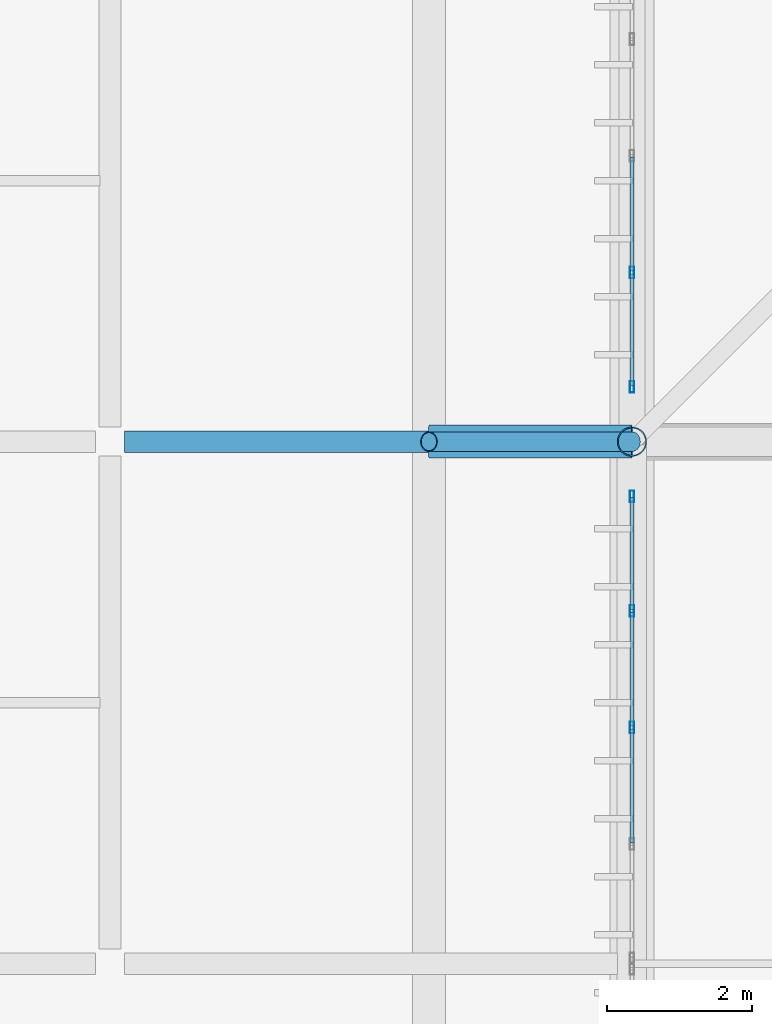
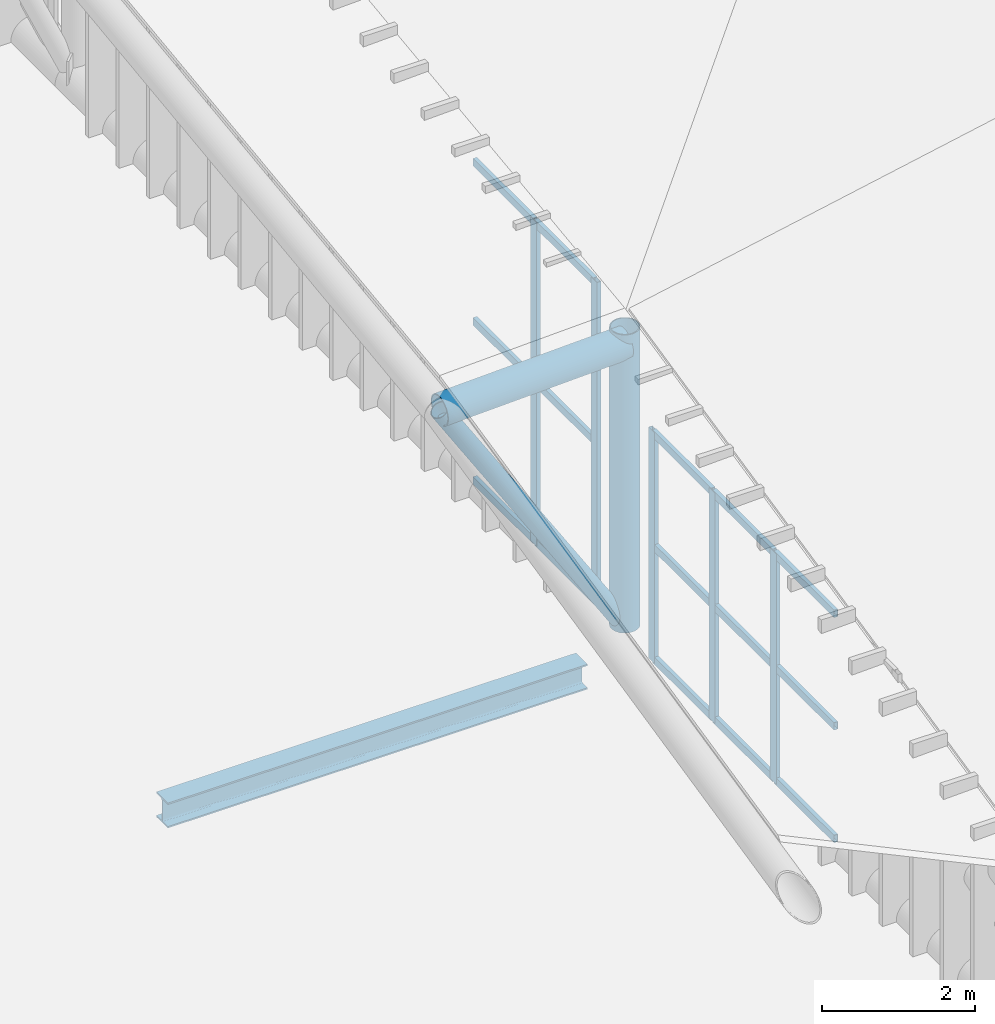
# One storey, part 11 of 397: 22 members, 2 beams, 2 elements without a shape of their own.
"""IFC4 building model written with IfcOpenShell, lengths in metres."""

from ifc_helpers import new_model, si_unit, direction, frame, origin, origin_2d, place, context, subcontext, project, spatial, hollow_rectangle, hollow_circle, i_section, extrude, material, material_profile, profile_set, type_object, element, aggregate, save


model = new_model("IFC4")

# Units and contexts
model_context = context("Model", 3, precision=1e-05, world=origin(), true_north=direction((0.0, 1.0)))
body_context = subcontext(model_context, "Body", "Model", "MODEL_VIEW")
ifc_project = project(units=[si_unit("LENGTHUNIT", "METRE"), si_unit("AREAUNIT", "SQUARE_METRE"), si_unit("VOLUMEUNIT", "CUBIC_METRE"), si_unit("PLANEANGLEUNIT", "RADIAN"), si_unit("MASSUNIT", "GRAM", prefix="KILO")], contexts=[model_context])

# Site, building, storey
site_placement = place(None, origin())
site = spatial("IfcSite", under=ifc_project, at=site_placement, CompositionType="ELEMENT")
building_placement = place(site_placement, origin())
building = spatial("IfcBuilding", under=site, at=building_placement, Name="Qandorah Velis Arena", CompositionType="ELEMENT")
storey_placement = place(building_placement, frame((0.0, 0.0, 27.5)))
storey = spatial("IfcBuildingStorey", under=building, at=storey_placement, Name="RF", CompositionType="ELEMENT", Elevation=27.5)

# Curtain wall, members
ifc_material_1 = material(Name="Solar-control low-E double glazing", Category="glass")
curtain_wall_type = type_object("IfcCurtainWallType", Name="ARC-CW-SYS02", PredefinedType="USERDEFINED", material=ifc_material_1)
curtain_wall_1_placement = place(storey_placement, origin())
curtain_wall_1 = element("IfcCurtainWall", 1, at=curtain_wall_1_placement, inside=storey, type_object=curtain_wall_type, Name="Unitised curtain wall CROWN-1-01S2", ObjectType="UNITISED CURTAIN WALL", PredefinedType="USERDEFINED")
ifc_material_2 = material(Name="Champagne-bronze anodized aluminium 6063-T6", Category="aluminium")
ifc_material_profile_1 = material_profile(ifc_material_2, hollow_rectangle(XDim=0.06005859375, YDim=0.159912109375, WallThickness=0.00341796875, at=origin_2d()), Name="ALU MULLION 60x160")
ifc_profile_set_1 = profile_set([ifc_material_profile_1], Name="Champagne-bronze anodized aluminium 6063-T6")
member_type_1 = type_object("IfcMemberType", Name="ARC-CWM-160", PredefinedType="MULLION", material=ifc_profile_set_1)
member_1_placement = place(storey_placement, frame((14.39990234375, 24.857421875, -0.014892578125), z_axis=(0.0, 0.0, 1.0), x_axis=(-1.0, 0.0, 0.0)))
member_1 = element("IfcMember", 2, at=member_1_placement, type_object=member_type_1, Name="CW02 mullion 3", PredefinedType="MULLION", context=body_context, shape_type="SweptSolid", body=[
    extrude(hollow_rectangle(XDim=0.06005859375, YDim=0.159912109375, WallThickness=0.00341796875, at=origin_2d()), origin(), (0.0, 0.0, 1.0), 3.6904296875),
])
member_2_placement = place(storey_placement, frame((14.39990234375, 26.46630859375, -0.014892578125), z_axis=(0.0, 0.0, 1.0), x_axis=(-1.0, 0.0, 0.0)))
member_2 = element("IfcMember", 3, at=member_2_placement, type_object=member_type_1, Name="CW02 mullion 4", PredefinedType="MULLION", context=body_context, shape_type="SweptSolid", body=[
    extrude(hollow_rectangle(XDim=0.06005859375, YDim=0.159912109375, WallThickness=0.00341796875, at=origin_2d()), origin(), (0.0, 0.0, 1.0), 3.6904296875),
])
member_3_placement = place(storey_placement, frame((14.39990234375, 28.044921875, -0.014892578125), z_axis=(0.0, 0.0, 1.0), x_axis=(-1.0, 0.0, 0.0)))
member_3 = element("IfcMember", 4, at=member_3_placement, type_object=member_type_1, Name="CW02 mullion 5", PredefinedType="MULLION", context=body_context, shape_type="SweptSolid", body=[
    extrude(hollow_rectangle(XDim=0.06005859375, YDim=0.159912109375, WallThickness=0.00341796875, at=origin_2d()), origin(), (0.0, 0.0, 1.0), 3.6904296875),
])

curtain_wall_2_placement = place(storey_placement, origin())
curtain_wall_2 = element("IfcCurtainWall", 5, at=curtain_wall_2_placement, inside=storey, type_object=curtain_wall_type, Name="Unitised curtain wall CROWN-1-02S1", ObjectType="UNITISED CURTAIN WALL", PredefinedType="USERDEFINED")
member_4_placement = place(storey_placement, frame((14.39990234375, 29.554931640625, -0.014892578125), z_axis=(0.0, 0.0, 1.0), x_axis=(-1.0, 0.0, 0.0)))
member_4 = element("IfcMember", 6, at=member_4_placement, type_object=member_type_1, Name="CW02 mullion 1", PredefinedType="MULLION", context=body_context, shape_type="SweptSolid", body=[
    extrude(hollow_rectangle(XDim=0.06005859375, YDim=0.159912109375, WallThickness=0.00341796875, at=origin_2d()), origin(), (0.0, 0.0, 1.0), 5.180908203125),
])
member_5_placement = place(storey_placement, frame((14.39990234375, 31.1337890625, -0.014892578125), z_axis=(0.0, 0.0, 1.0), x_axis=(-1.0, 0.0, 0.0)))
member_5 = element("IfcMember", 7, at=member_5_placement, type_object=member_type_1, Name="CW02 mullion 2", PredefinedType="MULLION", context=body_context, shape_type="SweptSolid", body=[
    extrude(hollow_rectangle(XDim=0.06005859375, YDim=0.159912109375, WallThickness=0.00341796875, at=origin_2d()), origin(), (0.0, 0.0, 1.0), 5.180908203125),
])

# Member
ifc_material_profile_2 = material_profile(ifc_material_2, hollow_rectangle(XDim=0.06005859375, YDim=0.1201171875, WallThickness=0.0029296875, at=origin_2d()), Name="ALU TRANSOM 60x120")
ifc_profile_set_2 = profile_set([ifc_material_profile_2], Name="Champagne-bronze anodized aluminium 6063-T6")
member_type_2 = type_object("IfcMemberType", Name="ARC-CWT-120", PredefinedType="USERDEFINED", material=ifc_profile_set_2)
member_6_placement = place(storey_placement, frame((14.39990234375, 23.2666015625, 0.030029296875), z_axis=(0.0, 1.0, 0.0), x_axis=(-1.0, 0.0, 0.0)))
member_6 = element("IfcMember", 8, at=member_6_placement, type_object=member_type_2, Name="CW02 transom 2.1", ObjectType="TRANSOM", PredefinedType="USERDEFINED", context=body_context, shape_type="SweptSolid", body=[
    extrude(hollow_rectangle(XDim=0.06005859375, YDim=0.1201171875, WallThickness=0.0029296875, at=origin_2d()), origin(), (0.0, 0.0, 1.0), 1.572998046875),
])

member_7_placement = place(storey_placement, frame((14.39990234375, 23.2666015625, 1.830078125), z_axis=(0.0, 1.0, 0.0), x_axis=(-1.0, 0.0, 0.0)))
member_7 = element("IfcMember", 9, at=member_7_placement, type_object=member_type_2, Name="CW02 transom 2.2", ObjectType="TRANSOM", PredefinedType="USERDEFINED", context=body_context, shape_type="SweptSolid", body=[
    extrude(hollow_rectangle(XDim=0.06005859375, YDim=0.1201171875, WallThickness=0.0029296875, at=origin_2d()), origin(), (0.0, 0.0, 1.0), 1.572998046875),
])

member_8_placement = place(storey_placement, frame((14.39990234375, 23.2666015625, 3.630615234375), z_axis=(0.0, 1.0, 0.0), x_axis=(-1.0, 0.0, 0.0)))
member_8 = element("IfcMember", 10, at=member_8_placement, type_object=member_type_2, Name="CW02 transom 2.3", ObjectType="TRANSOM", PredefinedType="USERDEFINED", context=body_context, shape_type="SweptSolid", body=[
    extrude(hollow_rectangle(XDim=0.06005859375, YDim=0.1201171875, WallThickness=0.0029296875, at=origin_2d()), origin(), (0.0, 0.0, 1.0), 1.572998046875),
])

member_9_placement = place(storey_placement, frame((14.39990234375, 24.87548828125, 0.030029296875), z_axis=(0.0, 1.0, 0.0), x_axis=(-1.0, 0.0, 0.0)))
member_9 = element("IfcMember", 11, at=member_9_placement, type_object=member_type_2, Name="CW02 transom 3.1", ObjectType="TRANSOM", PredefinedType="USERDEFINED", context=body_context, shape_type="SweptSolid", body=[
    extrude(hollow_rectangle(XDim=0.06005859375, YDim=0.1201171875, WallThickness=0.0029296875, at=origin_2d()), origin(), (0.0, 0.0, 1.0), 1.57275390625),
])

member_10_placement = place(storey_placement, frame((14.39990234375, 24.87548828125, 1.830078125), z_axis=(0.0, 1.0, 0.0), x_axis=(-1.0, 0.0, 0.0)))
member_10 = element("IfcMember", 12, at=member_10_placement, type_object=member_type_2, Name="CW02 transom 3.2", ObjectType="TRANSOM", PredefinedType="USERDEFINED", context=body_context, shape_type="SweptSolid", body=[
    extrude(hollow_rectangle(XDim=0.06005859375, YDim=0.1201171875, WallThickness=0.0029296875, at=origin_2d()), origin(), (0.0, 0.0, 1.0), 1.57275390625),
])

member_11_placement = place(storey_placement, frame((14.39990234375, 24.87548828125, 3.630615234375), z_axis=(0.0, 1.0, 0.0), x_axis=(-1.0, 0.0, 0.0)))
member_11 = element("IfcMember", 13, at=member_11_placement, type_object=member_type_2, Name="CW02 transom 3.3", ObjectType="TRANSOM", PredefinedType="USERDEFINED", context=body_context, shape_type="SweptSolid", body=[
    extrude(hollow_rectangle(XDim=0.06005859375, YDim=0.1201171875, WallThickness=0.0029296875, at=origin_2d()), origin(), (0.0, 0.0, 1.0), 1.57275390625),
])

member_12_placement = place(storey_placement, frame((14.39990234375, 26.484130859375, 0.030029296875), z_axis=(0.0, 1.0, 0.0), x_axis=(-1.0, 0.0, 0.0)))
member_12 = element("IfcMember", 14, at=member_12_placement, type_object=member_type_2, Name="CW02 transom 4.1", ObjectType="TRANSOM", PredefinedType="USERDEFINED", context=body_context, shape_type="SweptSolid", body=[
    extrude(hollow_rectangle(XDim=0.06005859375, YDim=0.1201171875, WallThickness=0.0029296875, at=origin_2d()), origin(), (0.0, 0.0, 1.0), 1.54296875),
])

member_13_placement = place(storey_placement, frame((14.39990234375, 26.484130859375, 1.830078125), z_axis=(0.0, 1.0, 0.0), x_axis=(-1.0, 0.0, 0.0)))
member_13 = element("IfcMember", 15, at=member_13_placement, type_object=member_type_2, Name="CW02 transom 4.2", ObjectType="TRANSOM", PredefinedType="USERDEFINED", context=body_context, shape_type="SweptSolid", body=[
    extrude(hollow_rectangle(XDim=0.06005859375, YDim=0.1201171875, WallThickness=0.0029296875, at=origin_2d()), origin(), (0.0, 0.0, 1.0), 1.54296875),
])

member_14_placement = place(storey_placement, frame((14.39990234375, 26.484130859375, 3.630615234375), z_axis=(0.0, 1.0, 0.0), x_axis=(-1.0, 0.0, 0.0)))
member_14 = element("IfcMember", 16, at=member_14_placement, type_object=member_type_2, Name="CW02 transom 4.3", ObjectType="TRANSOM", PredefinedType="USERDEFINED", context=body_context, shape_type="SweptSolid", body=[
    extrude(hollow_rectangle(XDim=0.06005859375, YDim=0.1201171875, WallThickness=0.0029296875, at=origin_2d()), origin(), (0.0, 0.0, 1.0), 1.54296875),
])

aggregate(curtain_wall_1, [member_1, member_2, member_3, member_6, member_7, member_8, member_9, member_10, member_11, member_12, member_13, member_14])

member_15_placement = place(storey_placement, frame((14.39990234375, 29.572998046875, 0.030029296875), z_axis=(0.0, 1.0, 0.0), x_axis=(-1.0, 0.0, 0.0)))
member_15 = element("IfcMember", 17, at=member_15_placement, type_object=member_type_2, Name="CW02 transom 1.1", ObjectType="TRANSOM", PredefinedType="USERDEFINED", context=body_context, shape_type="SweptSolid", body=[
    extrude(hollow_rectangle(XDim=0.06005859375, YDim=0.1201171875, WallThickness=0.0029296875, at=origin_2d()), origin(), (0.0, 0.0, 1.0), 1.542724609375),
])

member_16_placement = place(storey_placement, frame((14.39990234375, 29.572998046875, 2.575439453125), z_axis=(0.0, 1.0, 0.0), x_axis=(-1.0, 0.0, 0.0)))
member_16 = element("IfcMember", 18, at=member_16_placement, type_object=member_type_2, Name="CW02 transom 1.2", ObjectType="TRANSOM", PredefinedType="USERDEFINED", context=body_context, shape_type="SweptSolid", body=[
    extrude(hollow_rectangle(XDim=0.06005859375, YDim=0.1201171875, WallThickness=0.0029296875, at=origin_2d()), origin(), (0.0, 0.0, 1.0), 1.542724609375),
])

member_17_placement = place(storey_placement, frame((14.39990234375, 29.572998046875, 5.12109375), z_axis=(0.0, 1.0, 0.0), x_axis=(-1.0, 0.0, 0.0)))
member_17 = element("IfcMember", 19, at=member_17_placement, type_object=member_type_2, Name="CW02 transom 1.3", ObjectType="TRANSOM", PredefinedType="USERDEFINED", context=body_context, shape_type="SweptSolid", body=[
    extrude(hollow_rectangle(XDim=0.06005859375, YDim=0.1201171875, WallThickness=0.0029296875, at=origin_2d()), origin(), (0.0, 0.0, 1.0), 1.542724609375),
])

member_18_placement = place(storey_placement, frame((14.39990234375, 31.151611328125, 0.030029296875), z_axis=(0.0, 1.0, 0.0), x_axis=(-1.0, 0.0, 0.0)))
member_18 = element("IfcMember", 20, at=member_18_placement, type_object=member_type_2, Name="CW02 transom 2.1", ObjectType="TRANSOM", PredefinedType="USERDEFINED", context=body_context, shape_type="SweptSolid", body=[
    extrude(hollow_rectangle(XDim=0.06005859375, YDim=0.1201171875, WallThickness=0.0029296875, at=origin_2d()), origin(), (0.0, 0.0, 1.0), 1.572998046875),
])

member_19_placement = place(storey_placement, frame((14.39990234375, 31.151611328125, 2.575439453125), z_axis=(0.0, 1.0, 0.0), x_axis=(-1.0, 0.0, 0.0)))
member_19 = element("IfcMember", 21, at=member_19_placement, type_object=member_type_2, Name="CW02 transom 2.2", ObjectType="TRANSOM", PredefinedType="USERDEFINED", context=body_context, shape_type="SweptSolid", body=[
    extrude(hollow_rectangle(XDim=0.06005859375, YDim=0.1201171875, WallThickness=0.0029296875, at=origin_2d()), origin(), (0.0, 0.0, 1.0), 1.572998046875),
])

member_20_placement = place(storey_placement, frame((14.39990234375, 31.151611328125, 5.12109375), z_axis=(0.0, 1.0, 0.0), x_axis=(-1.0, 0.0, 0.0)))
member_20 = element("IfcMember", 22, at=member_20_placement, type_object=member_type_2, Name="CW02 transom 2.3", ObjectType="TRANSOM", PredefinedType="USERDEFINED", context=body_context, shape_type="SweptSolid", body=[
    extrude(hollow_rectangle(XDim=0.06005859375, YDim=0.1201171875, WallThickness=0.0029296875, at=origin_2d()), origin(), (0.0, 0.0, 1.0), 1.572998046875),
])

aggregate(curtain_wall_2, [member_4, member_5, member_15, member_16, member_17, member_18, member_19, member_20])

# Beams
ifc_material_3 = material(Name="Steel S355", Category="steel")
ifc_material_profile_3 = material_profile(ifc_material_3, i_section(OverallWidth=0.300048828125, OverallDepth=0.39990234375, WebThickness=0.013427734375, FlangeThickness=0.02392578125, FilletRadius=0.027099609375, at=origin_2d()), Name="HEB 400")
ifc_profile_set_3 = profile_set([ifc_material_profile_3], Name="Steel S355")
beam_type_1 = type_object("IfcBeamType", Name="STR-BM-HEB400", PredefinedType="BEAM", material=ifc_profile_set_3)
beam_1_placement = place(storey_placement, frame((7.39990234375, 28.800048828125, -0.419921875), z_axis=(1.0, 0.0, 0.0), x_axis=(0.0, 1.0, 0.0)))
element("IfcBeam", 23, at=beam_1_placement, inside=storey, type_object=beam_type_1, Name="Primary floor girder RF X-022", PredefinedType="BEAM", context=body_context, shape_type="SweptSolid", body=[
    extrude(i_section(OverallWidth=0.300048828125, OverallDepth=0.39990234375, WebThickness=0.013427734375, FlangeThickness=0.02392578125, FilletRadius=0.027099609375, at=origin_2d()), origin(), (0.0, 0.0, 1.0), 6.35009765625),
])
ifc_material_profile_4 = material_profile(ifc_material_3, hollow_circle(Radius=0.228515625, WallThickness=0.01611328125, at=origin_2d()), Name="CHS 457x16")
ifc_profile_set_4 = profile_set([ifc_material_profile_4], Name="Steel S355")
beam_type_2 = type_object("IfcBeamType", Name="STR-SFC-CHS457X16", PredefinedType="USERDEFINED", material=ifc_profile_set_4)
beam_2_placement = place(storey_placement, frame((14.39990234375, 28.800048828125, 4.6083984375), z_axis=(-0.999361521522, 0.0, -0.035728830121), x_axis=(0.0, -1.0, 0.0)))
element("IfcBeam", 24, at=beam_2_placement, inside=storey, type_object=beam_type_2, Name="Space frame eave outrigger W-1", ObjectType="ROOF TRUSS", PredefinedType="USERDEFINED", context=body_context, shape_type="SweptSolid", body=[
    extrude(hollow_circle(Radius=0.228515625, WallThickness=0.01611328125, at=origin_2d()), origin(), (0.0, 0.0, 1.0), 2.801513671875),
])

# Members
ifc_material_profile_5 = material_profile(ifc_material_3, hollow_circle(Radius=0.136474609375, WallThickness=0.012451171875, at=origin_2d()), Name="CHS 273x12.5")
ifc_profile_set_5 = profile_set([ifc_material_profile_5], Name="Steel S355")
member_type_3 = type_object("IfcMemberType", Name="STR-SFD-CHS273X12", PredefinedType="STRUT", material=ifc_profile_set_5)
member_21_placement = place(storey_placement, frame((14.39990234375, 28.800048828125, 0.10009765625), z_axis=(-0.536137175467, 0.0, 0.844130872011), x_axis=(0.0, -1.0, 0.0)))
element("IfcMember", 25, at=member_21_placement, inside=storey, type_object=member_type_3, Name="Space frame eave raking strut W-1", PredefinedType="STRUT", context=body_context, shape_type="SweptSolid", body=[
    extrude(hollow_circle(Radius=0.136474609375, WallThickness=0.012451171875, at=origin_2d()), origin(), (0.0, 0.0, 1.0), 5.22216796875),
])
ifc_material_profile_6 = material_profile(ifc_material_3, hollow_circle(Radius=0.203125, WallThickness=0.01611328125, at=origin_2d()), Name="CHS 406.4x16")
ifc_profile_set_6 = profile_set([ifc_material_profile_6], Name="Steel S355")
member_type_4 = type_object("IfcMemberType", Name="STR-SFD-CHS406X16", PredefinedType="STRUT", material=ifc_profile_set_6)
member_22_placement = place(storey_placement, frame((14.39990234375, 28.800048828125, 0.10009765625), z_axis=(0.0, 0.0, 1.0), x_axis=(1.0, 0.0, 0.0)))
element("IfcMember", 26, at=member_22_placement, inside=storey, type_object=member_type_4, Name="Space frame roof vertical post 0.1", PredefinedType="STRUT", context=body_context, shape_type="SweptSolid", body=[
    extrude(hollow_circle(Radius=0.203125, WallThickness=0.01611328125, at=origin_2d()), origin(), (0.0, 0.0, 1.0), 4.768310546875),
])

save(model, "model.ifc")
